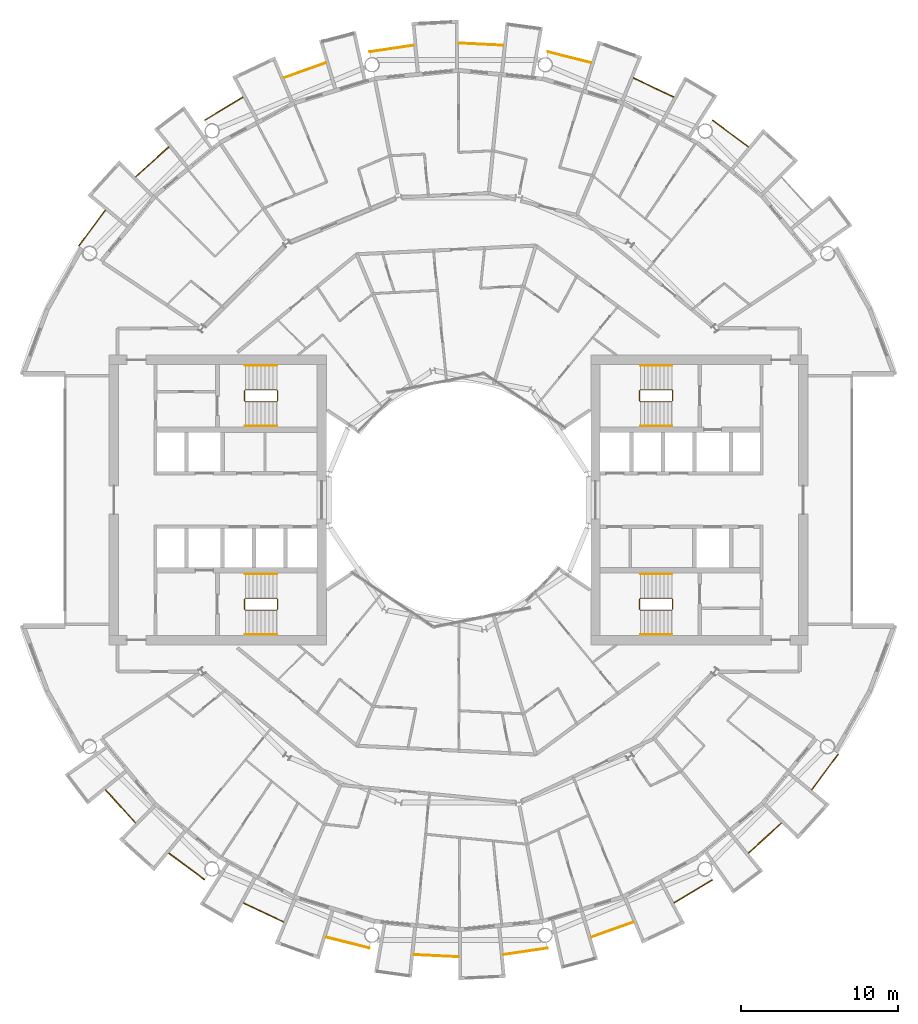
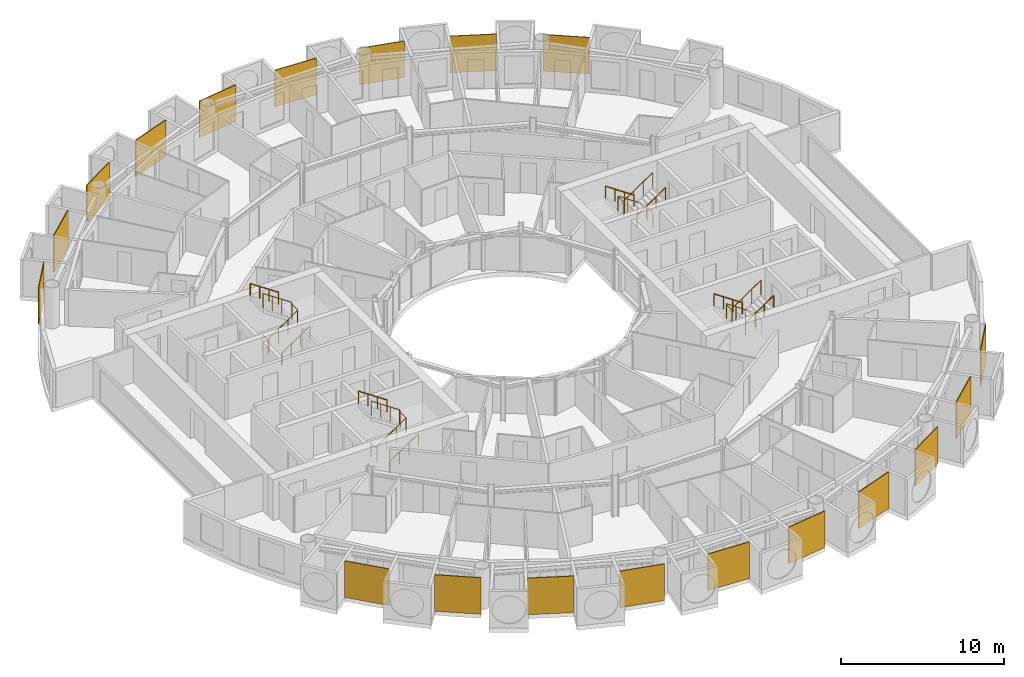
# One storey, part 26 of 27: 31 railings.
"""IFC4 building model written with IfcOpenShell, lengths in metres."""

from ifc_helpers import new_model, si_unit, direction, frame, origin, origin_2d, place, context, subcontext, project, spatial, polyline, circle, outline, extrude, material, layer, layer_set, type_object, element, save


model = new_model("IFC4")

# Units and contexts
model_context = context("Model", 3, precision=1e-05, world=origin(), true_north=direction((0.0, 1.0)))
body_context = subcontext(model_context, "Body", "Model", "MODEL_VIEW")
ifc_project = project(units=[si_unit("LENGTHUNIT", "METRE"), si_unit("AREAUNIT", "SQUARE_METRE"), si_unit("VOLUMEUNIT", "CUBIC_METRE"), si_unit("PLANEANGLEUNIT", "RADIAN"), si_unit("MASSUNIT", "GRAM", prefix="KILO")], contexts=[model_context])

# Site, building, storey
site_placement = place(None, origin())
site = spatial("IfcSite", under=ifc_project, at=site_placement, CompositionType="ELEMENT")
building_placement = place(site_placement, origin())
building = spatial("IfcBuilding", under=site, at=building_placement, Name="Maasbend Ring Residences", CompositionType="ELEMENT")
storey_placement = place(building_placement, frame((0.0, 0.0, 111.64990234375)))
storey = spatial("IfcBuildingStorey", under=building, at=storey_placement, Name="L31", CompositionType="ELEMENT", Elevation=111.64990234375)

# Railings
ifc_material_1 = material(Name="Pale anodised perforated aluminium", Category="aluminium")
ifc_layer = layer(ifc_material_1, 0.06005859375)
ifc_layer_set = layer_set([ifc_layer], Name="SCREEN-P")
railing_type_1 = type_object("IfcRailingType", Name="SCREEN-P", PredefinedType="GUARDRAIL", material=ifc_layer_set)
railing_1_placement = place(storey_placement, frame((0.0, 0.0, -0.02978515625)))
element("IfcRailing", 1, at=railing_1_placement, inside=storey, type_object=railing_type_1, Name="Perforated screen guard 2", PredefinedType="GUARDRAIL", context=body_context, shape_type="SweptSolid", body=[
    extrude(outline(polyline([(18.39697265625, 22.4169921875), (16.112060546875, 24.113037109375), (16.14697265625, 24.160888671875), (18.43310546875, 22.465087890625), (18.39697265625, 22.4169921875)])), origin(), (0.0, 0.0, 1.0), 2.72998046875),
])
railing_2_placement = place(storey_placement, frame((0.0, 0.0, -0.02978515625)))
element("IfcRailing", 2, at=railing_2_placement, inside=storey, type_object=railing_type_1, Name="Perforated screen guard 3", PredefinedType="GUARDRAIL", context=body_context, shape_type="SweptSolid", body=[
    extrude(outline(polyline([(13.6708984375, 25.575927734375), (11.097900390625, 26.79296875), (11.123046875, 26.846923828125), (13.696044921875, 25.6298828125), (13.6708984375, 25.575927734375)])), origin(), (0.0, 0.0, 1.0), 2.72998046875),
])
railing_3_placement = place(storey_placement, frame((0.0, 0.0, -0.02978515625)))
element("IfcRailing", 3, at=railing_3_placement, inside=storey, type_object=railing_type_1, Name="Perforated screen guard 4", PredefinedType="GUARDRAIL", context=body_context, shape_type="SweptSolid", body=[
    extrude(outline(polyline([(8.41796875, 27.7509765625), (5.657958984375, 28.443115234375), (5.672119140625, 28.5009765625), (8.43310546875, 27.80908203125), (8.41796875, 27.7509765625)])), origin(), (0.0, 0.0, 1.0), 2.72998046875),
])
railing_4_placement = place(storey_placement, frame((0.0, 0.0, -0.02978515625)))
element("IfcRailing", 4, at=railing_4_placement, inside=storey, type_object=railing_type_1, Name="Perforated screen guard 5", PredefinedType="GUARDRAIL", context=body_context, shape_type="SweptSolid", body=[
    extrude(outline(polyline([(2.842041015625, 28.860107421875), (0.0, 29.0), (0.0029296875, 29.06005859375), (2.844970703125, 28.919921875), (2.842041015625, 28.860107421875)])), origin(), (0.0, 0.0, 1.0), 2.72998046875),
])
railing_5_placement = place(storey_placement, frame((0.0, 0.0, -0.02978515625)))
element("IfcRailing", 5, at=railing_5_placement, inside=storey, type_object=railing_type_1, Name="Perforated screen guard 6", PredefinedType="GUARDRAIL", context=body_context, shape_type="SweptSolid", body=[
    extrude(outline(polyline([(-2.842041015625, 28.860107421875), (-5.657958984375, 28.443115234375), (-5.666015625, 28.501953125), (-2.85107421875, 28.919921875), (-2.842041015625, 28.860107421875)])), origin(), (0.0, 0.0, 1.0), 2.72998046875),
])
railing_6_placement = place(storey_placement, frame((0.0, 0.0, -0.02978515625)))
element("IfcRailing", 6, at=railing_6_placement, inside=storey, type_object=railing_type_1, Name="Perforated screen guard 7", PredefinedType="GUARDRAIL", context=body_context, shape_type="SweptSolid", body=[
    extrude(outline(polyline([(-8.41796875, 27.7509765625), (-11.097900390625, 26.79296875), (-11.117919921875, 26.84912109375), (-8.43798828125, 27.80810546875), (-8.41796875, 27.7509765625)])), origin(), (0.0, 0.0, 1.0), 2.72998046875),
])
railing_7_placement = place(storey_placement, frame((0.0, 0.0, -0.02978515625)))
element("IfcRailing", 7, at=railing_7_placement, inside=storey, type_object=railing_type_1, Name="Perforated screen guard 8", PredefinedType="GUARDRAIL", context=body_context, shape_type="SweptSolid", body=[
    extrude(outline(polyline([(-13.6708984375, 25.575927734375), (-16.112060546875, 24.113037109375), (-16.14208984375, 24.1640625), (-13.700927734375, 25.626953125), (-13.6708984375, 25.575927734375)])), origin(), (0.0, 0.0, 1.0), 2.72998046875),
])
railing_8_placement = place(storey_placement, frame((0.0, 0.0, -0.02978515625)))
element("IfcRailing", 8, at=railing_8_placement, inside=storey, type_object=railing_type_1, Name="Perforated screen guard 9", PredefinedType="GUARDRAIL", context=body_context, shape_type="SweptSolid", body=[
    extrude(outline(polyline([(-18.39697265625, 22.4169921875), (-20.506103515625, 20.506103515625), (-20.5458984375, 20.551025390625), (-18.43798828125, 22.4619140625), (-18.39697265625, 22.4169921875)])), origin(), (0.0, 0.0, 1.0), 2.72998046875),
])
railing_9_placement = place(storey_placement, frame((0.0, 0.0, -0.02978515625)))
element("IfcRailing", 9, at=railing_9_placement, inside=storey, type_object=railing_type_1, Name="Perforated screen guard 10", PredefinedType="GUARDRAIL", context=body_context, shape_type="SweptSolid", body=[
    extrude(outline(polyline([(-22.4169921875, 18.39697265625), (-24.113037109375, 16.112060546875), (-24.160888671875, 16.14697265625), (-22.465087890625, 18.43310546875), (-22.4169921875, 18.39697265625)])), origin(), (0.0, 0.0, 1.0), 2.72998046875),
])
railing_10_placement = place(storey_placement, frame((0.0, 0.0, -0.02978515625)))
element("IfcRailing", 10, at=railing_10_placement, inside=storey, type_object=railing_type_1, Name="Perforated screen guard 1", PredefinedType="GUARDRAIL", context=body_context, shape_type="SweptSolid", body=[
    extrude(outline(polyline([(-22.4169921875, -18.39697265625), (-20.506103515625, -20.506103515625), (-20.551025390625, -20.5458984375), (-22.4619140625, -18.43798828125), (-22.4169921875, -18.39697265625)])), origin(), (0.0, 0.0, 1.0), 2.72998046875),
])
railing_11_placement = place(storey_placement, frame((0.0, 0.0, -0.02978515625)))
element("IfcRailing", 11, at=railing_11_placement, inside=storey, type_object=railing_type_1, Name="Perforated screen guard 2", PredefinedType="GUARDRAIL", context=body_context, shape_type="SweptSolid", body=[
    extrude(outline(polyline([(-18.39697265625, -22.4169921875), (-16.112060546875, -24.113037109375), (-16.14697265625, -24.160888671875), (-18.43310546875, -22.465087890625), (-18.39697265625, -22.4169921875)])), origin(), (0.0, 0.0, 1.0), 2.72998046875),
])
railing_12_placement = place(storey_placement, frame((0.0, 0.0, -0.02978515625)))
element("IfcRailing", 12, at=railing_12_placement, inside=storey, type_object=railing_type_1, Name="Perforated screen guard 3", PredefinedType="GUARDRAIL", context=body_context, shape_type="SweptSolid", body=[
    extrude(outline(polyline([(-13.6708984375, -25.575927734375), (-11.097900390625, -26.79296875), (-11.123046875, -26.846923828125), (-13.696044921875, -25.6298828125), (-13.6708984375, -25.575927734375)])), origin(), (0.0, 0.0, 1.0), 2.72998046875),
])
railing_13_placement = place(storey_placement, frame((0.0, 0.0, -0.02978515625)))
element("IfcRailing", 13, at=railing_13_placement, inside=storey, type_object=railing_type_1, Name="Perforated screen guard 4", PredefinedType="GUARDRAIL", context=body_context, shape_type="SweptSolid", body=[
    extrude(outline(polyline([(-8.41796875, -27.7509765625), (-5.657958984375, -28.443115234375), (-5.672119140625, -28.5009765625), (-8.43310546875, -27.80908203125), (-8.41796875, -27.7509765625)])), origin(), (0.0, 0.0, 1.0), 2.72998046875),
])
railing_14_placement = place(storey_placement, frame((0.0, 0.0, -0.02978515625)))
element("IfcRailing", 14, at=railing_14_placement, inside=storey, type_object=railing_type_1, Name="Perforated screen guard 5", PredefinedType="GUARDRAIL", context=body_context, shape_type="SweptSolid", body=[
    extrude(outline(polyline([(-2.842041015625, -28.860107421875), (0.0, -29.0), (-0.0029296875, -29.06005859375), (-2.844970703125, -28.919921875), (-2.842041015625, -28.860107421875)])), origin(), (0.0, 0.0, 1.0), 2.72998046875),
])
railing_15_placement = place(storey_placement, frame((0.0, 0.0, -0.02978515625)))
element("IfcRailing", 15, at=railing_15_placement, inside=storey, type_object=railing_type_1, Name="Perforated screen guard 6", PredefinedType="GUARDRAIL", context=body_context, shape_type="SweptSolid", body=[
    extrude(outline(polyline([(2.842041015625, -28.860107421875), (5.657958984375, -28.443115234375), (5.666015625, -28.501953125), (2.85107421875, -28.919921875), (2.842041015625, -28.860107421875)])), origin(), (0.0, 0.0, 1.0), 2.72998046875),
])
railing_16_placement = place(storey_placement, frame((0.0, 0.0, -0.02978515625)))
element("IfcRailing", 16, at=railing_16_placement, inside=storey, type_object=railing_type_1, Name="Perforated screen guard 7", PredefinedType="GUARDRAIL", context=body_context, shape_type="SweptSolid", body=[
    extrude(outline(polyline([(8.41796875, -27.7509765625), (11.097900390625, -26.79296875), (11.117919921875, -26.84912109375), (8.43798828125, -27.80810546875), (8.41796875, -27.7509765625)])), origin(), (0.0, 0.0, 1.0), 2.72998046875),
])
railing_17_placement = place(storey_placement, frame((0.0, 0.0, -0.02978515625)))
element("IfcRailing", 17, at=railing_17_placement, inside=storey, type_object=railing_type_1, Name="Perforated screen guard 8", PredefinedType="GUARDRAIL", context=body_context, shape_type="SweptSolid", body=[
    extrude(outline(polyline([(13.6708984375, -25.575927734375), (16.112060546875, -24.113037109375), (16.14208984375, -24.1640625), (13.700927734375, -25.626953125), (13.6708984375, -25.575927734375)])), origin(), (0.0, 0.0, 1.0), 2.72998046875),
])
railing_18_placement = place(storey_placement, frame((0.0, 0.0, -0.02978515625)))
element("IfcRailing", 18, at=railing_18_placement, inside=storey, type_object=railing_type_1, Name="Perforated screen guard 9", PredefinedType="GUARDRAIL", context=body_context, shape_type="SweptSolid", body=[
    extrude(outline(polyline([(18.39697265625, -22.4169921875), (20.506103515625, -20.506103515625), (20.5458984375, -20.551025390625), (18.43798828125, -22.4619140625), (18.39697265625, -22.4169921875)])), origin(), (0.0, 0.0, 1.0), 2.72998046875),
])
railing_19_placement = place(storey_placement, frame((0.0, 0.0, -0.02978515625)))
element("IfcRailing", 19, at=railing_19_placement, inside=storey, type_object=railing_type_1, Name="Perforated screen guard 10", PredefinedType="GUARDRAIL", context=body_context, shape_type="SweptSolid", body=[
    extrude(outline(polyline([(22.4169921875, -18.39697265625), (24.113037109375, -16.112060546875), (24.160888671875, -16.14697265625), (22.465087890625, -18.43310546875), (22.4169921875, -18.39697265625)])), origin(), (0.0, 0.0, 1.0), 2.72998046875),
])
ifc_material_2 = material(Name="Stainless steel 316", Category="steel")
railing_type_2 = type_object("IfcRailingType", Name="STAIR GUARD 1100", PredefinedType="GUARDRAIL", material=ifc_material_2)
railing_20_placement = place(storey_placement, frame((13.60009765625, 6.300048828125, 0.0)))
element("IfcRailing", 20, at=railing_20_placement, inside=storey, type_object=railing_type_2, Name="L31 ST-E1 stair guard 1", PredefinedType="GUARDRAIL", context=body_context, shape_type="SweptSolid", body=[
    extrude(circle(Radius=0.02392578125, at=origin_2d()), frame((0.0, 0.0, 1.076171875), z_axis=(0.0, 1.0, 0.0), x_axis=(-1.0, 0.0, 0.0)), (0.0, 0.0, 1.0), 0.64990234375),
    extrude(circle(Radius=0.02392578125, at=origin_2d()), frame((0.0, 0.64990234375, 1.076171875), z_axis=(-0.272562526181, 0.272562526181, 0.92272386912), x_axis=(-0.707106781187, -0.707106781187, 0.0)), (0.0, 0.0, 1.0), 0.18359375),
    extrude(circle(Radius=0.02392578125, at=origin_2d()), frame((-0.050048828125, 0.699951171875, 1.24560546875), z_axis=(-0.827750655447, 0.0, 0.561096116906), x_axis=(0.0, -1.0, 0.0)), (0.0, 0.0, 1.0), 2.416259765625),
    extrude(circle(Radius=0.02392578125, at=origin_2d()), frame((-2.050048828125, 0.699951171875, 2.60107421875), z_axis=(-0.707106781187, -0.707106781187, 0.0), x_axis=(0.707106781187, -0.707106781187, 0.0)), (0.0, 0.0, 1.0), 0.07080078125),
    extrude(circle(Radius=0.02392578125, at=origin_2d()), frame((-2.10009765625, 0.64990234375, 2.60107421875), z_axis=(0.0, -1.0, 0.0), x_axis=(1.0, 0.0, 0.0)), (0.0, 0.0, 1.0), 0.64990234375),
    extrude(circle(Radius=0.02392578125, at=origin_2d()), frame((-2.10009765625, 0.0, 2.60107421875), z_axis=(0.272562526181, -0.272562526181, 0.92272386912), x_axis=(0.707106781187, 0.707106781187, 0.0)), (0.0, 0.0, 1.0), 0.18359375),
    extrude(circle(Radius=0.02392578125, at=origin_2d()), frame((-2.050048828125, -0.050048828125, 2.7705078125), z_axis=(0.827797584762, 0.0, 0.561026878735), x_axis=(0.0, 1.0, 0.0)), (0.0, 0.0, 1.0), 2.416015625),
    extrude(circle(Radius=0.02099609375, at=origin_2d()), origin(), (0.0, 0.0, 1.0), 1.052001953125),
    extrude(circle(Radius=0.02099609375, at=origin_2d()), frame((0.0, 0.64990234375, 0.0)), (0.0, 0.0, 1.0), 1.052001953125),
    extrude(circle(Radius=0.02099609375, at=origin_2d()), frame((-0.050048828125, 0.699951171875, 0.16943359375)), (0.0, 0.0, 1.0), 1.052001953125),
    extrude(circle(Radius=0.02099609375, at=origin_2d()), frame((-0.716796875, 0.699951171875, 0.621337890625)), (0.0, 0.0, 1.0), 1.052001953125),
    extrude(circle(Radius=0.02099609375, at=origin_2d()), frame((-1.38330078125, 0.699951171875, 1.0732421875)), (0.0, 0.0, 1.0), 1.052001953125),
    extrude(circle(Radius=0.02099609375, at=origin_2d()), frame((-2.050048828125, 0.699951171875, 1.525146484375)), (0.0, 0.0, 1.0), 1.052001953125),
    extrude(circle(Radius=0.02099609375, at=origin_2d()), frame((-2.10009765625, 0.64990234375, 1.525146484375)), (0.0, 0.0, 1.0), 1.052001953125),
    extrude(circle(Radius=0.02099609375, at=origin_2d()), frame((-2.10009765625, 0.0, 1.525146484375)), (0.0, 0.0, 1.0), 1.052001953125),
    extrude(circle(Radius=0.02099609375, at=origin_2d()), frame((-2.050048828125, -0.050048828125, 1.694580078125)), (0.0, 0.0, 1.0), 1.052001953125),
    extrude(circle(Radius=0.02099609375, at=origin_2d()), frame((-1.38330078125, -0.050048828125, 2.146484375)), (0.0, 0.0, 1.0), 1.052001953125),
    extrude(circle(Radius=0.02099609375, at=origin_2d()), frame((-0.716796875, -0.050048828125, 2.59814453125)), (0.0, 0.0, 1.0), 1.052001953125),
    extrude(circle(Radius=0.02099609375, at=origin_2d()), frame((-0.050048828125, -0.050048828125, 3.050048828125)), (0.0, 0.0, 1.0), 1.052001953125),
])
railing_21_placement = place(storey_placement, frame((13.60009765625, -6.949951171875, 0.0)))
element("IfcRailing", 21, at=railing_21_placement, inside=storey, type_object=railing_type_2, Name="L31 ST-E2 stair guard 1", PredefinedType="GUARDRAIL", context=body_context, shape_type="SweptSolid", body=[
    extrude(circle(Radius=0.02392578125, at=origin_2d()), frame((0.0, 0.0, 1.076171875), z_axis=(0.0, 1.0, 0.0), x_axis=(-1.0, 0.0, 0.0)), (0.0, 0.0, 1.0), 0.64990234375),
    extrude(circle(Radius=0.02392578125, at=origin_2d()), frame((0.0, 0.64990234375, 1.076171875), z_axis=(-0.272562526181, 0.272562526181, 0.92272386912), x_axis=(-0.707106781187, -0.707106781187, 0.0)), (0.0, 0.0, 1.0), 0.18359375),
    extrude(circle(Radius=0.02392578125, at=origin_2d()), frame((-0.050048828125, 0.699951171875, 1.24560546875), z_axis=(-0.827750655447, 0.0, 0.561096116906), x_axis=(0.0, -1.0, 0.0)), (0.0, 0.0, 1.0), 2.416259765625),
    extrude(circle(Radius=0.02392578125, at=origin_2d()), frame((-2.050048828125, 0.699951171875, 2.60107421875), z_axis=(-0.707106781187, -0.707106781187, 0.0), x_axis=(0.707106781187, -0.707106781187, 0.0)), (0.0, 0.0, 1.0), 0.07080078125),
    extrude(circle(Radius=0.02392578125, at=origin_2d()), frame((-2.10009765625, 0.64990234375, 2.60107421875), z_axis=(0.0, -1.0, 0.0), x_axis=(1.0, 0.0, 0.0)), (0.0, 0.0, 1.0), 0.64990234375),
    extrude(circle(Radius=0.02392578125, at=origin_2d()), frame((-2.10009765625, 0.0, 2.60107421875), z_axis=(0.272562526181, -0.272562526181, 0.92272386912), x_axis=(0.707106781187, 0.707106781187, 0.0)), (0.0, 0.0, 1.0), 0.18359375),
    extrude(circle(Radius=0.02392578125, at=origin_2d()), frame((-2.050048828125, -0.050048828125, 2.7705078125), z_axis=(0.827797584762, 0.0, 0.561026878735), x_axis=(0.0, 1.0, 0.0)), (0.0, 0.0, 1.0), 2.416015625),
    extrude(circle(Radius=0.02099609375, at=origin_2d()), origin(), (0.0, 0.0, 1.0), 1.052001953125),
    extrude(circle(Radius=0.02099609375, at=origin_2d()), frame((0.0, 0.64990234375, 0.0)), (0.0, 0.0, 1.0), 1.052001953125),
    extrude(circle(Radius=0.02099609375, at=origin_2d()), frame((-0.050048828125, 0.699951171875, 0.16943359375)), (0.0, 0.0, 1.0), 1.052001953125),
    extrude(circle(Radius=0.02099609375, at=origin_2d()), frame((-0.716796875, 0.699951171875, 0.621337890625)), (0.0, 0.0, 1.0), 1.052001953125),
    extrude(circle(Radius=0.02099609375, at=origin_2d()), frame((-1.38330078125, 0.699951171875, 1.0732421875)), (0.0, 0.0, 1.0), 1.052001953125),
    extrude(circle(Radius=0.02099609375, at=origin_2d()), frame((-2.050048828125, 0.699951171875, 1.525146484375)), (0.0, 0.0, 1.0), 1.052001953125),
    extrude(circle(Radius=0.02099609375, at=origin_2d()), frame((-2.10009765625, 0.64990234375, 1.525146484375)), (0.0, 0.0, 1.0), 1.052001953125),
    extrude(circle(Radius=0.02099609375, at=origin_2d()), frame((-2.10009765625, 0.0, 1.525146484375)), (0.0, 0.0, 1.0), 1.052001953125),
    extrude(circle(Radius=0.02099609375, at=origin_2d()), frame((-2.050048828125, -0.050048828125, 1.694580078125)), (0.0, 0.0, 1.0), 1.052001953125),
    extrude(circle(Radius=0.02099609375, at=origin_2d()), frame((-1.38330078125, -0.050048828125, 2.146484375)), (0.0, 0.0, 1.0), 1.052001953125),
    extrude(circle(Radius=0.02099609375, at=origin_2d()), frame((-0.716796875, -0.050048828125, 2.59814453125)), (0.0, 0.0, 1.0), 1.052001953125),
    extrude(circle(Radius=0.02099609375, at=origin_2d()), frame((-0.050048828125, -0.050048828125, 3.050048828125)), (0.0, 0.0, 1.0), 1.052001953125),
])
railing_22_placement = place(storey_placement, frame((-13.60009765625, -6.300048828125, 0.0)))
element("IfcRailing", 22, at=railing_22_placement, inside=storey, type_object=railing_type_2, Name="L31 ST-W1 stair guard 1", PredefinedType="GUARDRAIL", context=body_context, shape_type="SweptSolid", body=[
    extrude(circle(Radius=0.02392578125, at=origin_2d()), frame((0.0, 0.0, 1.076171875), z_axis=(0.0, -1.0, 0.0), x_axis=(1.0, 0.0, 0.0)), (0.0, 0.0, 1.0), 0.64990234375),
    extrude(circle(Radius=0.02392578125, at=origin_2d()), frame((0.0, -0.64990234375, 1.076171875), z_axis=(0.272562526181, -0.272562526181, 0.92272386912), x_axis=(0.707106781187, 0.707106781187, 0.0)), (0.0, 0.0, 1.0), 0.18359375),
    extrude(circle(Radius=0.02392578125, at=origin_2d()), frame((0.050048828125, -0.699951171875, 1.24560546875), z_axis=(0.827750655447, 0.0, 0.561096116906), x_axis=(0.0, 1.0, 0.0)), (0.0, 0.0, 1.0), 2.416259765625),
    extrude(circle(Radius=0.02392578125, at=origin_2d()), frame((2.050048828125, -0.699951171875, 2.60107421875), z_axis=(0.707106781187, 0.707106781187, 0.0), x_axis=(-0.707106781187, 0.707106781187, 0.0)), (0.0, 0.0, 1.0), 0.07080078125),
    extrude(circle(Radius=0.02392578125, at=origin_2d()), frame((2.10009765625, -0.64990234375, 2.60107421875), z_axis=(0.0, 1.0, 0.0), x_axis=(-1.0, 0.0, 0.0)), (0.0, 0.0, 1.0), 0.64990234375),
    extrude(circle(Radius=0.02392578125, at=origin_2d()), frame((2.10009765625, 0.0, 2.60107421875), z_axis=(-0.272562526181, 0.272562526181, 0.92272386912), x_axis=(-0.707106781187, -0.707106781187, 0.0)), (0.0, 0.0, 1.0), 0.18359375),
    extrude(circle(Radius=0.02392578125, at=origin_2d()), frame((2.050048828125, 0.050048828125, 2.7705078125), z_axis=(-0.827797584762, 0.0, 0.561026878735), x_axis=(0.0, -1.0, 0.0)), (0.0, 0.0, 1.0), 2.416015625),
    extrude(circle(Radius=0.02099609375, at=origin_2d()), origin(), (0.0, 0.0, 1.0), 1.052001953125),
    extrude(circle(Radius=0.02099609375, at=origin_2d()), frame((0.0, -0.64990234375, 0.0)), (0.0, 0.0, 1.0), 1.052001953125),
    extrude(circle(Radius=0.02099609375, at=origin_2d()), frame((0.050048828125, -0.699951171875, 0.16943359375)), (0.0, 0.0, 1.0), 1.052001953125),
    extrude(circle(Radius=0.02099609375, at=origin_2d()), frame((0.716796875, -0.699951171875, 0.621337890625)), (0.0, 0.0, 1.0), 1.052001953125),
    extrude(circle(Radius=0.02099609375, at=origin_2d()), frame((1.38330078125, -0.699951171875, 1.0732421875)), (0.0, 0.0, 1.0), 1.052001953125),
    extrude(circle(Radius=0.02099609375, at=origin_2d()), frame((2.050048828125, -0.699951171875, 1.525146484375)), (0.0, 0.0, 1.0), 1.052001953125),
    extrude(circle(Radius=0.02099609375, at=origin_2d()), frame((2.10009765625, -0.64990234375, 1.525146484375)), (0.0, 0.0, 1.0), 1.052001953125),
    extrude(circle(Radius=0.02099609375, at=origin_2d()), frame((2.10009765625, 0.0, 1.525146484375)), (0.0, 0.0, 1.0), 1.052001953125),
    extrude(circle(Radius=0.02099609375, at=origin_2d()), frame((2.050048828125, 0.050048828125, 1.694580078125)), (0.0, 0.0, 1.0), 1.052001953125),
    extrude(circle(Radius=0.02099609375, at=origin_2d()), frame((1.38330078125, 0.050048828125, 2.146484375)), (0.0, 0.0, 1.0), 1.052001953125),
    extrude(circle(Radius=0.02099609375, at=origin_2d()), frame((0.716796875, 0.050048828125, 2.59814453125)), (0.0, 0.0, 1.0), 1.052001953125),
    extrude(circle(Radius=0.02099609375, at=origin_2d()), frame((0.050048828125, 0.050048828125, 3.050048828125)), (0.0, 0.0, 1.0), 1.052001953125),
])
railing_23_placement = place(storey_placement, frame((-13.60009765625, 6.949951171875, 0.0)))
element("IfcRailing", 23, at=railing_23_placement, inside=storey, type_object=railing_type_2, Name="L31 ST-W2 stair guard 1", PredefinedType="GUARDRAIL", context=body_context, shape_type="SweptSolid", body=[
    extrude(circle(Radius=0.02392578125, at=origin_2d()), frame((0.0, 0.0, 1.076171875), z_axis=(0.0, -1.0, 0.0), x_axis=(1.0, 0.0, 0.0)), (0.0, 0.0, 1.0), 0.64990234375),
    extrude(circle(Radius=0.02392578125, at=origin_2d()), frame((0.0, -0.64990234375, 1.076171875), z_axis=(0.272562526181, -0.272562526181, 0.92272386912), x_axis=(0.707106781187, 0.707106781187, 0.0)), (0.0, 0.0, 1.0), 0.18359375),
    extrude(circle(Radius=0.02392578125, at=origin_2d()), frame((0.050048828125, -0.699951171875, 1.24560546875), z_axis=(0.827750655447, 0.0, 0.561096116906), x_axis=(0.0, 1.0, 0.0)), (0.0, 0.0, 1.0), 2.416259765625),
    extrude(circle(Radius=0.02392578125, at=origin_2d()), frame((2.050048828125, -0.699951171875, 2.60107421875), z_axis=(0.707106781187, 0.707106781187, 0.0), x_axis=(-0.707106781187, 0.707106781187, 0.0)), (0.0, 0.0, 1.0), 0.07080078125),
    extrude(circle(Radius=0.02392578125, at=origin_2d()), frame((2.10009765625, -0.64990234375, 2.60107421875), z_axis=(0.0, 1.0, 0.0), x_axis=(-1.0, 0.0, 0.0)), (0.0, 0.0, 1.0), 0.64990234375),
    extrude(circle(Radius=0.02392578125, at=origin_2d()), frame((2.10009765625, 0.0, 2.60107421875), z_axis=(-0.272562526181, 0.272562526181, 0.92272386912), x_axis=(-0.707106781187, -0.707106781187, 0.0)), (0.0, 0.0, 1.0), 0.18359375),
    extrude(circle(Radius=0.02392578125, at=origin_2d()), frame((2.050048828125, 0.050048828125, 2.7705078125), z_axis=(-0.827797584762, 0.0, 0.561026878735), x_axis=(0.0, -1.0, 0.0)), (0.0, 0.0, 1.0), 2.416015625),
    extrude(circle(Radius=0.02099609375, at=origin_2d()), origin(), (0.0, 0.0, 1.0), 1.052001953125),
    extrude(circle(Radius=0.02099609375, at=origin_2d()), frame((0.0, -0.64990234375, 0.0)), (0.0, 0.0, 1.0), 1.052001953125),
    extrude(circle(Radius=0.02099609375, at=origin_2d()), frame((0.050048828125, -0.699951171875, 0.16943359375)), (0.0, 0.0, 1.0), 1.052001953125),
    extrude(circle(Radius=0.02099609375, at=origin_2d()), frame((0.716796875, -0.699951171875, 0.621337890625)), (0.0, 0.0, 1.0), 1.052001953125),
    extrude(circle(Radius=0.02099609375, at=origin_2d()), frame((1.38330078125, -0.699951171875, 1.0732421875)), (0.0, 0.0, 1.0), 1.052001953125),
    extrude(circle(Radius=0.02099609375, at=origin_2d()), frame((2.050048828125, -0.699951171875, 1.525146484375)), (0.0, 0.0, 1.0), 1.052001953125),
    extrude(circle(Radius=0.02099609375, at=origin_2d()), frame((2.10009765625, -0.64990234375, 1.525146484375)), (0.0, 0.0, 1.0), 1.052001953125),
    extrude(circle(Radius=0.02099609375, at=origin_2d()), frame((2.10009765625, 0.0, 1.525146484375)), (0.0, 0.0, 1.0), 1.052001953125),
    extrude(circle(Radius=0.02099609375, at=origin_2d()), frame((2.050048828125, 0.050048828125, 1.694580078125)), (0.0, 0.0, 1.0), 1.052001953125),
    extrude(circle(Radius=0.02099609375, at=origin_2d()), frame((1.38330078125, 0.050048828125, 2.146484375)), (0.0, 0.0, 1.0), 1.052001953125),
    extrude(circle(Radius=0.02099609375, at=origin_2d()), frame((0.716796875, 0.050048828125, 2.59814453125)), (0.0, 0.0, 1.0), 1.052001953125),
    extrude(circle(Radius=0.02099609375, at=origin_2d()), frame((0.050048828125, 0.050048828125, 3.050048828125)), (0.0, 0.0, 1.0), 1.052001953125),
])
ifc_material_3 = material(Name="Stainless steel 316", Category="steel")
railing_type_3 = type_object("IfcRailingType", Name="STAIR HANDRAIL 900", PredefinedType="HANDRAIL", material=ifc_material_3)
railing_24_placement = place(storey_placement, frame((13.550048828125, 8.550048828125, 0.16943359375)))
element("IfcRailing", 24, at=railing_24_placement, inside=storey, type_object=railing_type_3, Name="L31 ST-E1 stair handrail 1", PredefinedType="HANDRAIL", context=body_context, shape_type="SweptSolid", body=[
    extrude(circle(Radius=0.02392578125, at=origin_2d()), frame((0.0, 0.0, 0.8759765625), z_axis=(-0.827750655447, 0.0, 0.561096116906), x_axis=(0.0, -1.0, 0.0)), (0.0, 0.0, 1.0), 2.416259765625),
    extrude(circle(Radius=0.02099609375, at=origin_2d()), origin(), (0.0, 0.0, 1.0), 0.851806640625),
    extrude(circle(Radius=0.02099609375, at=origin_2d()), frame((-0.666748046875, 0.0, 0.451904296875)), (0.0, 0.0, 1.0), 0.851806640625),
    extrude(circle(Radius=0.02099609375, at=origin_2d()), frame((-1.333251953125, 0.0, 0.90380859375)), (0.0, 0.0, 1.0), 0.851806640625),
    extrude(circle(Radius=0.02099609375, at=origin_2d()), frame((-2.0, 0.0, 1.355712890625)), (0.0, 0.0, 1.0), 0.851806640625),
])
railing_25_placement = place(storey_placement, frame((11.550048828125, 4.699951171875, 1.694580078125)))
element("IfcRailing", 25, at=railing_25_placement, inside=storey, type_object=railing_type_3, Name="L31 ST-E1 stair handrail 2", PredefinedType="HANDRAIL", context=body_context, shape_type="SweptSolid", body=[
    extrude(circle(Radius=0.02392578125, at=origin_2d()), frame((0.0, 0.0, 0.8759765625), z_axis=(0.827797584762, 0.0, 0.561026878735), x_axis=(0.0, 1.0, 0.0)), (0.0, 0.0, 1.0), 2.416015625),
    extrude(circle(Radius=0.02099609375, at=origin_2d()), origin(), (0.0, 0.0, 1.0), 0.851806640625),
    extrude(circle(Radius=0.02099609375, at=origin_2d()), frame((0.666748046875, 0.0, 0.451904296875)), (0.0, 0.0, 1.0), 0.851806640625),
    extrude(circle(Radius=0.02099609375, at=origin_2d()), frame((1.333251953125, 0.0, 0.903564453125)), (0.0, 0.0, 1.0), 0.851806640625),
    extrude(circle(Radius=0.02099609375, at=origin_2d()), frame((2.0, 0.0, 1.35546875)), (0.0, 0.0, 1.0), 0.851806640625),
])
railing_26_placement = place(storey_placement, frame((13.550048828125, -4.699951171875, 0.16943359375)))
element("IfcRailing", 26, at=railing_26_placement, inside=storey, type_object=railing_type_3, Name="L31 ST-E2 stair handrail 1", PredefinedType="HANDRAIL", context=body_context, shape_type="SweptSolid", body=[
    extrude(circle(Radius=0.02392578125, at=origin_2d()), frame((0.0, 0.0, 0.8759765625), z_axis=(-0.827750655447, 0.0, 0.561096116906), x_axis=(0.0, -1.0, 0.0)), (0.0, 0.0, 1.0), 2.416259765625),
    extrude(circle(Radius=0.02099609375, at=origin_2d()), origin(), (0.0, 0.0, 1.0), 0.851806640625),
    extrude(circle(Radius=0.02099609375, at=origin_2d()), frame((-0.666748046875, 0.0, 0.451904296875)), (0.0, 0.0, 1.0), 0.851806640625),
    extrude(circle(Radius=0.02099609375, at=origin_2d()), frame((-1.333251953125, 0.0, 0.90380859375)), (0.0, 0.0, 1.0), 0.851806640625),
    extrude(circle(Radius=0.02099609375, at=origin_2d()), frame((-2.0, 0.0, 1.355712890625)), (0.0, 0.0, 1.0), 0.851806640625),
])
railing_27_placement = place(storey_placement, frame((11.550048828125, -8.550048828125, 1.694580078125)))
element("IfcRailing", 27, at=railing_27_placement, inside=storey, type_object=railing_type_3, Name="L31 ST-E2 stair handrail 2", PredefinedType="HANDRAIL", context=body_context, shape_type="SweptSolid", body=[
    extrude(circle(Radius=0.02392578125, at=origin_2d()), frame((0.0, 0.0, 0.8759765625), z_axis=(0.827797584762, 0.0, 0.561026878735), x_axis=(0.0, 1.0, 0.0)), (0.0, 0.0, 1.0), 2.416015625),
    extrude(circle(Radius=0.02099609375, at=origin_2d()), origin(), (0.0, 0.0, 1.0), 0.851806640625),
    extrude(circle(Radius=0.02099609375, at=origin_2d()), frame((0.666748046875, 0.0, 0.451904296875)), (0.0, 0.0, 1.0), 0.851806640625),
    extrude(circle(Radius=0.02099609375, at=origin_2d()), frame((1.333251953125, 0.0, 0.903564453125)), (0.0, 0.0, 1.0), 0.851806640625),
    extrude(circle(Radius=0.02099609375, at=origin_2d()), frame((2.0, 0.0, 1.35546875)), (0.0, 0.0, 1.0), 0.851806640625),
])
railing_28_placement = place(storey_placement, frame((-13.550048828125, -8.550048828125, 0.16943359375)))
element("IfcRailing", 28, at=railing_28_placement, inside=storey, type_object=railing_type_3, Name="L31 ST-W1 stair handrail 1", PredefinedType="HANDRAIL", context=body_context, shape_type="SweptSolid", body=[
    extrude(circle(Radius=0.02392578125, at=origin_2d()), frame((0.0, 0.0, 0.8759765625), z_axis=(0.827750655447, 0.0, 0.561096116906), x_axis=(0.0, 1.0, 0.0)), (0.0, 0.0, 1.0), 2.416259765625),
    extrude(circle(Radius=0.02099609375, at=origin_2d()), origin(), (0.0, 0.0, 1.0), 0.851806640625),
    extrude(circle(Radius=0.02099609375, at=origin_2d()), frame((0.666748046875, 0.0, 0.451904296875)), (0.0, 0.0, 1.0), 0.851806640625),
    extrude(circle(Radius=0.02099609375, at=origin_2d()), frame((1.333251953125, 0.0, 0.90380859375)), (0.0, 0.0, 1.0), 0.851806640625),
    extrude(circle(Radius=0.02099609375, at=origin_2d()), frame((2.0, 0.0, 1.355712890625)), (0.0, 0.0, 1.0), 0.851806640625),
])
railing_29_placement = place(storey_placement, frame((-11.550048828125, -4.699951171875, 1.694580078125)))
element("IfcRailing", 29, at=railing_29_placement, inside=storey, type_object=railing_type_3, Name="L31 ST-W1 stair handrail 2", PredefinedType="HANDRAIL", context=body_context, shape_type="SweptSolid", body=[
    extrude(circle(Radius=0.02392578125, at=origin_2d()), frame((0.0, 0.0, 0.8759765625), z_axis=(-0.827797584762, 0.0, 0.561026878735), x_axis=(0.0, -1.0, 0.0)), (0.0, 0.0, 1.0), 2.416015625),
    extrude(circle(Radius=0.02099609375, at=origin_2d()), origin(), (0.0, 0.0, 1.0), 0.851806640625),
    extrude(circle(Radius=0.02099609375, at=origin_2d()), frame((-0.666748046875, 0.0, 0.451904296875)), (0.0, 0.0, 1.0), 0.851806640625),
    extrude(circle(Radius=0.02099609375, at=origin_2d()), frame((-1.333251953125, 0.0, 0.903564453125)), (0.0, 0.0, 1.0), 0.851806640625),
    extrude(circle(Radius=0.02099609375, at=origin_2d()), frame((-2.0, 0.0, 1.35546875)), (0.0, 0.0, 1.0), 0.851806640625),
])
railing_30_placement = place(storey_placement, frame((-13.550048828125, 4.699951171875, 0.16943359375)))
element("IfcRailing", 30, at=railing_30_placement, inside=storey, type_object=railing_type_3, Name="L31 ST-W2 stair handrail 1", PredefinedType="HANDRAIL", context=body_context, shape_type="SweptSolid", body=[
    extrude(circle(Radius=0.02392578125, at=origin_2d()), frame((0.0, 0.0, 0.8759765625), z_axis=(0.827750655447, 0.0, 0.561096116906), x_axis=(0.0, 1.0, 0.0)), (0.0, 0.0, 1.0), 2.416259765625),
    extrude(circle(Radius=0.02099609375, at=origin_2d()), origin(), (0.0, 0.0, 1.0), 0.851806640625),
    extrude(circle(Radius=0.02099609375, at=origin_2d()), frame((0.666748046875, 0.0, 0.451904296875)), (0.0, 0.0, 1.0), 0.851806640625),
    extrude(circle(Radius=0.02099609375, at=origin_2d()), frame((1.333251953125, 0.0, 0.90380859375)), (0.0, 0.0, 1.0), 0.851806640625),
    extrude(circle(Radius=0.02099609375, at=origin_2d()), frame((2.0, 0.0, 1.355712890625)), (0.0, 0.0, 1.0), 0.851806640625),
])
railing_31_placement = place(storey_placement, frame((-11.550048828125, 8.550048828125, 1.694580078125)))
element("IfcRailing", 31, at=railing_31_placement, inside=storey, type_object=railing_type_3, Name="L31 ST-W2 stair handrail 2", PredefinedType="HANDRAIL", context=body_context, shape_type="SweptSolid", body=[
    extrude(circle(Radius=0.02392578125, at=origin_2d()), frame((0.0, 0.0, 0.8759765625), z_axis=(-0.827797584762, 0.0, 0.561026878735), x_axis=(0.0, -1.0, 0.0)), (0.0, 0.0, 1.0), 2.416015625),
    extrude(circle(Radius=0.02099609375, at=origin_2d()), origin(), (0.0, 0.0, 1.0), 0.851806640625),
    extrude(circle(Radius=0.02099609375, at=origin_2d()), frame((-0.666748046875, 0.0, 0.451904296875)), (0.0, 0.0, 1.0), 0.851806640625),
    extrude(circle(Radius=0.02099609375, at=origin_2d()), frame((-1.333251953125, 0.0, 0.903564453125)), (0.0, 0.0, 1.0), 0.851806640625),
    extrude(circle(Radius=0.02099609375, at=origin_2d()), frame((-2.0, 0.0, 1.35546875)), (0.0, 0.0, 1.0), 0.851806640625),
])

save(model, "model.ifc")
